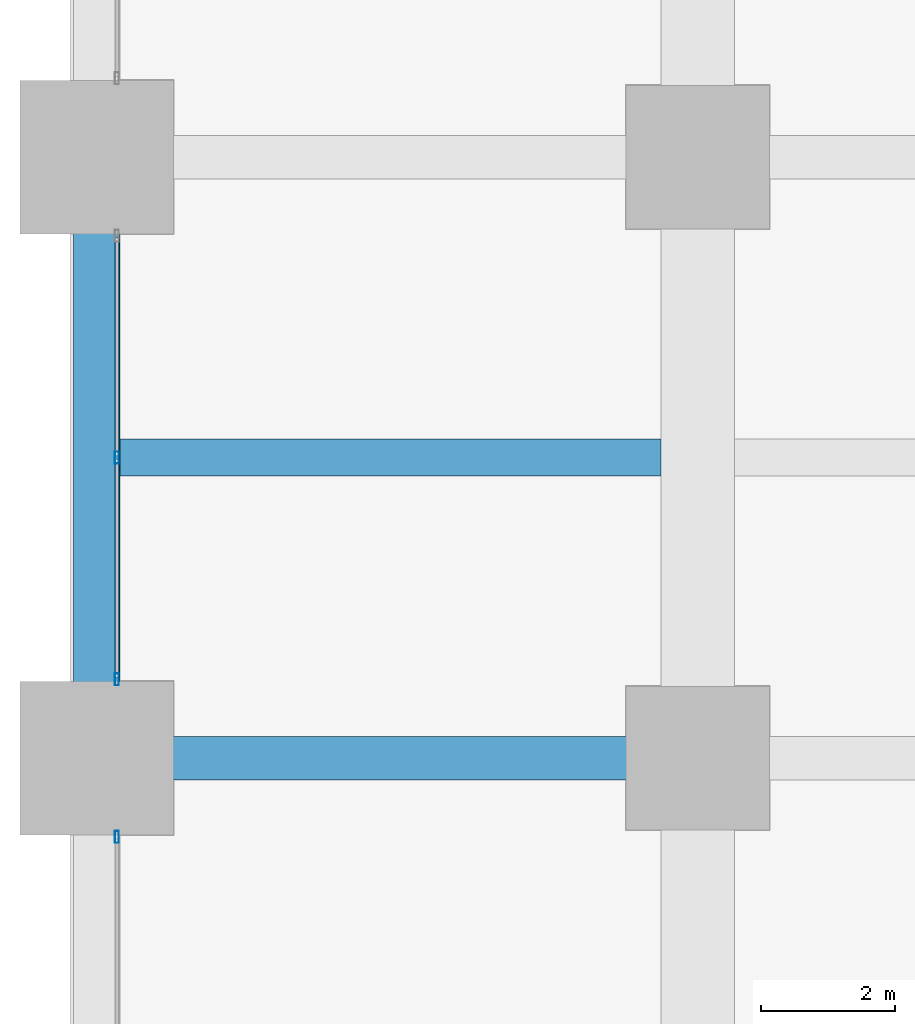
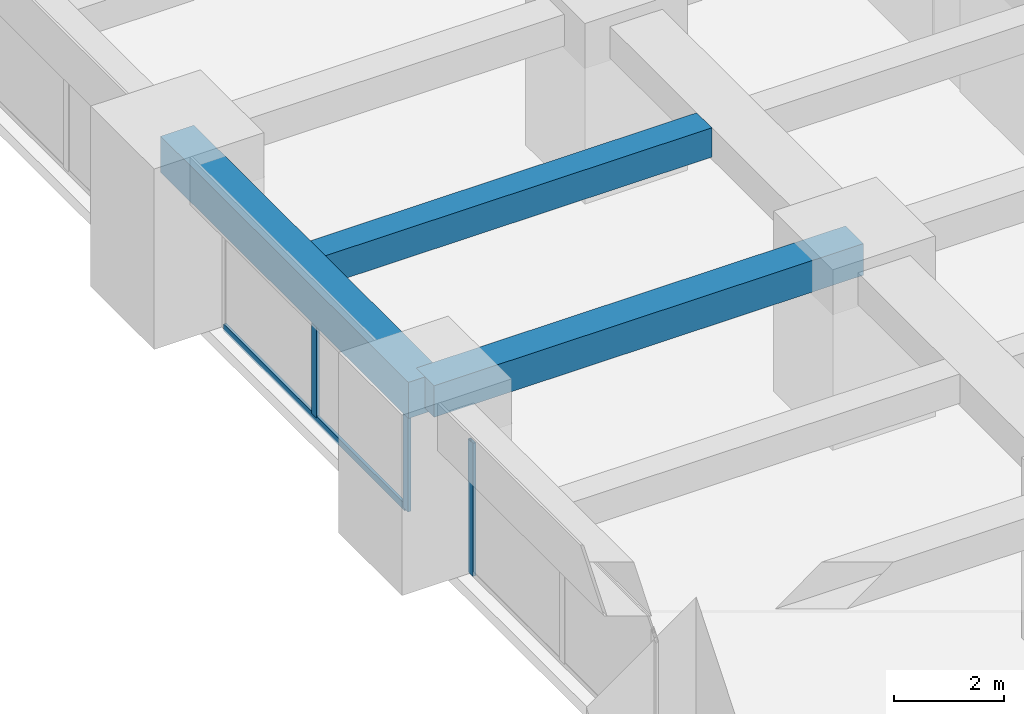
# One storey, part 9 of 44: 4 members, 3 beams, 2 elements without a shape of their own.
"""IFC4 building model written with IfcOpenShell, lengths in metres."""

from ifc_helpers import new_model, si_unit, direction, frame, origin, origin_2d, place, context, subcontext, project, spatial, rectangle, hollow_rectangle, extrude, material, material_profile, profile_set, type_object, element, aggregate, save


model = new_model("IFC4")

# Units and contexts
model_context = context("Model", 3, precision=1e-05, world=origin(), true_north=direction((0.0, 1.0)))
body_context = subcontext(model_context, "Body", "Model", "MODEL_VIEW")
ifc_project = project(units=[si_unit("LENGTHUNIT", "METRE"), si_unit("AREAUNIT", "SQUARE_METRE"), si_unit("VOLUMEUNIT", "CUBIC_METRE"), si_unit("PLANEANGLEUNIT", "RADIAN"), si_unit("MASSUNIT", "GRAM", prefix="KILO")], contexts=[model_context])

# Site, building, storey
site_placement = place(None, origin())
site = spatial("IfcSite", under=ifc_project, at=site_placement, CompositionType="ELEMENT")
building_placement = place(site_placement, origin())
building = spatial("IfcBuilding", under=site, at=building_placement, Name="Zorevar Civic Tower", CompositionType="ELEMENT")
storey_placement = place(building_placement, frame((0.0, 0.0, 59.800048828125)))
storey = spatial("IfcBuildingStorey", under=building, at=storey_placement, Name="L14", CompositionType="ELEMENT", Elevation=59.800048828125)

# Beams
ifc_material_1 = material(Name="Concrete C50/60", Category="concrete")
ifc_material_profile_1 = material_profile(ifc_material_1, rectangle(XDim=0.550048828125, YDim=0.64990234375, at=origin_2d()), Name="RC 550x650")
ifc_profile_set_1 = profile_set([ifc_material_profile_1], Name="Concrete C50/60")
beam_type_1 = type_object("IfcBeamType", Name="Beam RC 550x650", PredefinedType="BEAM", material=ifc_profile_set_1)
beam_1_placement = place(storey_placement, frame((0.35009765625, 22.5, 3.425048828125), z_axis=(1.0, 0.0, 0.0), x_axis=(0.0, 1.0, 0.0)))
element("IfcBeam", 1, at=beam_1_placement, inside=storey, type_object=beam_type_1, Name="Secondary beam L15", PredefinedType="BEAM", context=body_context, shape_type="SweptSolid", body=[
    extrude(rectangle(XDim=0.550048828125, YDim=0.64990234375, at=origin_2d()), origin(), (0.0, 0.0, 1.0), 8.099853515625),
])
ifc_material_2 = material(Name="Concrete C50/60", Category="concrete")
ifc_material_profile_2 = material_profile(ifc_material_2, rectangle(XDim=0.64990234375, YDim=0.699951171875, at=origin_2d()), Name="RC 650x700")
ifc_profile_set_2 = profile_set([ifc_material_profile_2], Name="Concrete C50/60")
beam_type_2 = type_object("IfcBeamType", Name="Beam RC 650x700", PredefinedType="BEAM", material=ifc_profile_set_2)
beam_2_placement = place(storey_placement, frame((0.0, 18.0, 3.39990234375), z_axis=(1.0, 0.0, 0.0), x_axis=(0.0, 1.0, 0.0)))
element("IfcBeam", 2, at=beam_2_placement, inside=storey, type_object=beam_type_2, Name="Girder L15", PredefinedType="BEAM", context=body_context, shape_type="SweptSolid", body=[
    extrude(rectangle(XDim=0.64990234375, YDim=0.699951171875, at=origin_2d()), origin(), (0.0, 0.0, 1.0), 9.0),
])

# Curtain wall, member
ifc_material_3 = material(Name="Dark grey solar-control glass in black aluminium frame", Category="aluminium")
curtain_wall_type = type_object("IfcCurtainWallType", Name="Curtain wall CW2 low zone", PredefinedType="NOTDEFINED", material=ifc_material_3)
curtain_wall_1_placement = place(storey_placement, origin())
curtain_wall_1 = element("IfcCurtainWall", 3, at=curtain_wall_1_placement, inside=storey, type_object=curtain_wall_type, Name="CW2 L14", PredefinedType="NOTDEFINED")
ifc_material_4 = material(Name="Aluminium, black anodised", Category="aluminium")
ifc_material_profile_3 = material_profile(ifc_material_4, hollow_rectangle(XDim=0.06005859375, YDim=0.179931640625, WallThickness=0.00390625, at=origin_2d()), Name="AL 180x60x4")
ifc_profile_set_3 = profile_set([ifc_material_profile_3], Name="Aluminium, black anodised")
member_type_1 = type_object("IfcMemberType", Name="CW2 mullion AL 180x60x4", PredefinedType="MULLION", material=ifc_profile_set_3)
member_1_placement = place(storey_placement, frame((0.300048828125, 16.820068359375, 0.0), z_axis=(0.0, 0.0, 1.0), x_axis=(-1.0, 0.0, 0.0)))
member_1 = element("IfcMember", 4, at=member_1_placement, type_object=member_type_1, Name="CW2 mullion 3", PredefinedType="MULLION", context=body_context, shape_type="SweptSolid", body=[
    extrude(hollow_rectangle(XDim=0.06005859375, YDim=0.179931640625, WallThickness=0.00390625, at=origin_2d()), origin(), (0.0, 0.0, 1.0), 2.949951171875),
])
aggregate(curtain_wall_1, [member_1])

# Curtain wall, members
curtain_wall_2_placement = place(storey_placement, origin())
curtain_wall_2 = element("IfcCurtainWall", 5, at=curtain_wall_2_placement, inside=storey, type_object=curtain_wall_type, Name="CW2 L14", PredefinedType="NOTDEFINED")
member_2_placement = place(storey_placement, frame((0.300048828125, 19.179931640625, 0.0), z_axis=(0.0, 0.0, 1.0), x_axis=(-1.0, 0.0, 0.0)))
member_2 = element("IfcMember", 6, at=member_2_placement, type_object=member_type_1, Name="CW2 mullion 1", PredefinedType="MULLION", context=body_context, shape_type="SweptSolid", body=[
    extrude(hollow_rectangle(XDim=0.06005859375, YDim=0.179931640625, WallThickness=0.00390625, at=origin_2d()), origin(), (0.0, 0.0, 1.0), 2.949951171875),
])
member_3_placement = place(storey_placement, frame((0.300048828125, 22.5, 0.06005859375), z_axis=(0.0, 0.0, 1.0), x_axis=(-1.0, 0.0, 0.0)))
member_3 = element("IfcMember", 7, at=member_3_placement, type_object=member_type_1, Name="CW2 mullion 2", PredefinedType="MULLION", context=body_context, shape_type="SweptSolid", body=[
    extrude(hollow_rectangle(XDim=0.06005859375, YDim=0.179931640625, WallThickness=0.00390625, at=origin_2d()), origin(), (0.0, 0.0, 1.0), 2.889892578125),
])
ifc_material_5 = material(Name="Aluminium, black anodised", Category="aluminium")
ifc_material_profile_4 = material_profile(ifc_material_5, hollow_rectangle(XDim=0.06005859375, YDim=0.14990234375, WallThickness=0.00390625, at=origin_2d()), Name="AL 150x60x4")
ifc_profile_set_4 = profile_set([ifc_material_profile_4], Name="Aluminium, black anodised")
member_type_2 = type_object("IfcMemberType", Name="CW2 transom AL 150x60x4", PredefinedType="USERDEFINED", material=ifc_profile_set_4)
member_4_placement = place(storey_placement, frame((0.300048828125, 19.2099609375, 0.030029296875), z_axis=(0.0, 1.0, 0.0), x_axis=(-1.0, 0.0, 0.0)))
member_4 = element("IfcMember", 8, at=member_4_placement, type_object=member_type_2, Name="CW2 sill transom", ObjectType="TRANSOM", PredefinedType="USERDEFINED", context=body_context, shape_type="SweptSolid", body=[
    extrude(hollow_rectangle(XDim=0.06005859375, YDim=0.14990234375, WallThickness=0.00390625, at=origin_2d()), origin(), (0.0, 0.0, 1.0), 6.580078125),
])
aggregate(curtain_wall_2, [member_2, member_3, member_4])

# Beam
ifc_material_6 = material(Name="Concrete C50/60", Category="concrete")
ifc_material_profile_5 = material_profile(ifc_material_6, rectangle(XDim=0.699951171875, YDim=0.800048828125, at=origin_2d()), Name="RC 700x800")
ifc_profile_set_5 = profile_set([ifc_material_profile_5], Name="Concrete C50/60")
beam_type_3 = type_object("IfcBeamType", Name="Edge beam RC 700x800", PredefinedType="SPANDREL", material=ifc_profile_set_5)
beam_3_placement = place(storey_placement, frame((0.0, 18.0, 3.349853515625), z_axis=(0.0, 1.0, 0.0), x_axis=(-1.0, 0.0, 0.0)))
element("IfcBeam", 9, at=beam_3_placement, inside=storey, type_object=beam_type_3, Name="Edge beam L15", PredefinedType="SPANDREL", context=body_context, shape_type="SweptSolid", body=[
    extrude(rectangle(XDim=0.699951171875, YDim=0.800048828125, at=origin_2d()), origin(), (0.0, 0.0, 1.0), 9.0),
])

save(model, "model.ifc")
